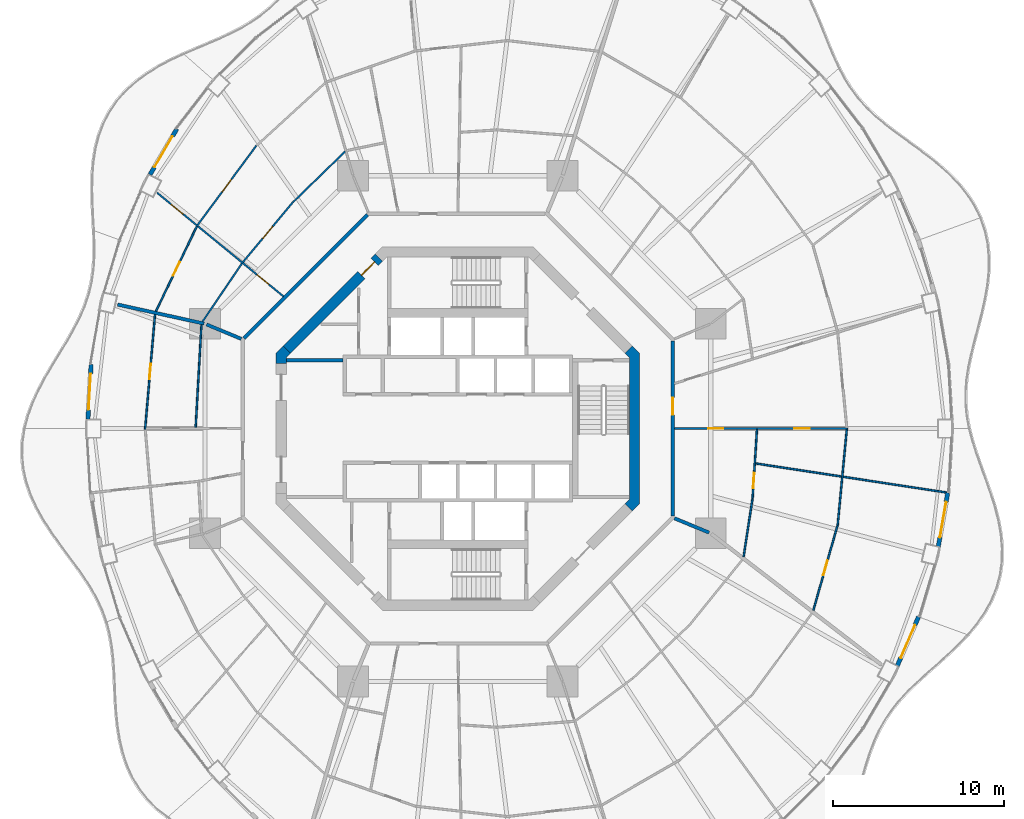
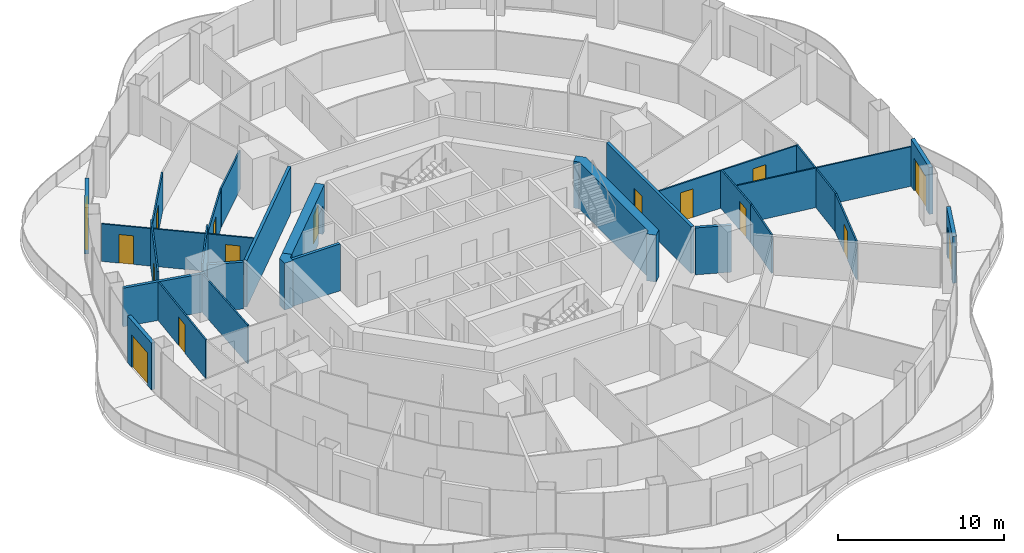
# One storey, part 13 of 19: 27 walls, 16 doors, 16 openings.
"""IFC4 building model written with IfcOpenShell, lengths in metres."""

from ifc_helpers import new_model, si_unit, direction, frame, frame_2d, origin, place, context, subcontext, project, spatial, polyline, rectangle, outline, extrude, material, layer, layer_set, type_object, element, fill, save


model = new_model("IFC4")

# Units and contexts
model_context = context("Model", 3, precision=1e-05, world=origin(), true_north=direction((0.0, 1.0)))
body_context = subcontext(model_context, "Body", "Model", "MODEL_VIEW")
ifc_project = project(units=[si_unit("LENGTHUNIT", "METRE"), si_unit("AREAUNIT", "SQUARE_METRE"), si_unit("VOLUMEUNIT", "CUBIC_METRE"), si_unit("PLANEANGLEUNIT", "RADIAN"), si_unit("MASSUNIT", "GRAM", prefix="KILO")], contexts=[model_context])

# Site, building, storey
site_placement = place(None, origin())
site = spatial("IfcSite", under=ifc_project, at=site_placement, CompositionType="ELEMENT")
building_placement = place(site_placement, origin())
building = spatial("IfcBuilding", under=site, at=building_placement, Name="Nagisa Residences", CompositionType="ELEMENT")
storey_placement = place(building_placement, frame((0.0, 0.0, 173.300048828125)))
storey = spatial("IfcBuildingStorey", under=building, at=storey_placement, Name="L43", CompositionType="ELEMENT", Elevation=173.300048828125)

# Walls
ifc_material_1 = material(Name="Gypsum board on steel studs", Category="steel")
ifc_layer_1 = layer(ifc_material_1, 0.199951171875)
ifc_layer_set_1 = layer_set([ifc_layer_1], Name="Apartment compartment wall EI60 200")
wall_type_1 = type_object("IfcWallType", Name="Apartment compartment wall EI60 200", PredefinedType="PARTITIONING", material=ifc_layer_set_1)
wall_1_placement = place(storey_placement, frame((-12.6572265625, 5.24267578125, 0.0), z_axis=(0.0, 0.0, 1.0), x_axis=(-0.923859888513, 0.38273085373, 0.0)))
element("IfcWall", 1, at=wall_1_placement, inside=storey, type_object=wall_type_1, Name="wall:L43:u02", PredefinedType="PARTITIONING", context=body_context, shape_type="SweptSolid", body=[
    extrude(rectangle(XDim=2.199462890625, YDim=0.199951171875, at=frame_2d((1.099609375, 0.0))), origin(), (0.0, 0.0, 1.0), 3.43994140625),
])
wall_2_placement = place(storey_placement, frame((-14.830810546875, 6.133544921875, 0.0), z_axis=(0.0, 0.0, 1.0), x_axis=(-0.976568396888, 0.215207263354, 0.0)))
element("IfcWall", 2, at=wall_2_placement, inside=storey, type_object=wall_type_1, Name="wall:L43:u03", PredefinedType="PARTITIONING", context=body_context, shape_type="SweptSolid", body=[
    extrude(rectangle(XDim=5.176513671875, YDim=0.199951171875, at=frame_2d((2.58837890625, 0.0))), origin(), (0.0, 0.0, 1.0), 2.8369140625),
])
wall_3_placement = place(storey_placement, frame((12.6572265625, -5.24267578125, 0.0), z_axis=(0.0, 0.0, 1.0), x_axis=(0.92383017907, -0.382802560388, 0.0)))
element("IfcWall", 3, at=wall_3_placement, inside=storey, type_object=wall_type_1, Name="wall:L43:u06", PredefinedType="PARTITIONING", context=body_context, shape_type="SweptSolid", body=[
    extrude(rectangle(XDim=2.2001953125, YDim=0.199951171875, at=frame_2d((1.10009765625, 0.0))), origin(), (0.0, 0.0, 1.0), 3.43994140625),
])

# Wall, opening, door
ifc_material_2 = material(Name="Gypsum board on steel studs", Category="steel")
ifc_layer_2 = layer(ifc_material_2, 0.199951171875)
ifc_layer_set_2 = layer_set([ifc_layer_2], Name="Apartment entry wall EI60 200")
wall_type_2 = type_object("IfcWallType", Name="Apartment entry wall EI60 200", PredefinedType="PARTITIONING", material=ifc_layer_set_2)
wall_4_placement = place(storey_placement, frame((12.564697265625, -5.1044921875, 0.0), z_axis=(0.0, 0.0, 1.0), x_axis=(0.0, 1.0, 0.0)))
wall_4 = element("IfcWall", 4, at=wall_4_placement, inside=storey, type_object=wall_type_2, Name="wall:L43:u08", PredefinedType="PARTITIONING", context=body_context, shape_type="SweptSolid", body=[
    extrude(rectangle(XDim=10.208984375, YDim=0.199951171875, at=frame_2d((5.1044921875, 0.0))), origin(), (0.0, 0.0, 1.0), 3.43994140625),
])
opening_1_placement = place(wall_4_placement, frame((5.905517578125, 0.0, 0.0)))
opening_1 = element("IfcOpeningElement", 5, at=opening_1_placement, cuts=wall_4, Name="Opening L43-U01", PredefinedType="OPENING", context=body_context, shape_type="SweptSolid", body=[
    extrude(rectangle(XDim=1.0, YDim=2.10009765625, at=frame_2d((0.5, 1.050048828125))), frame((0.0, 0.10986328125, 0.0), z_axis=(0.0, -1.0, 0.0), x_axis=(1.0, 0.0, 0.0)), (0.0, 0.0, 1.0), 0.219970703125),
])
ifc_material_3 = material(Name="Timber fire door set", Category="wood")
door_type_1 = type_object("IfcDoorType", Name="Apartment entry door FD30S 1000x2100", OperationType="NOTDEFINED", PredefinedType="DOOR", material=ifc_material_3)
door_1_placement = place(opening_1_placement, frame((1.0, 0.0, 0.0), x_axis=(-1.0, 0.0, 0.0)))
door_1 = element("IfcDoor", 6, at=door_1_placement, inside=storey, type_object=door_type_1, Name="Entry door, Apartment 43A", OperationType="SINGLE_SWING_RIGHT", OverallHeight=2.10009765625, OverallWidth=1.0, PredefinedType="DOOR", context=body_context, shape_type="SweptSolid", body=[
    extrude(rectangle(XDim=1.0, YDim=2.10009765625, at=frame_2d((0.5, 1.050048828125))), frame((0.0, 0.02490234375, 0.0), z_axis=(0.0, -1.0, 0.0), x_axis=(1.0, 0.0, 0.0)), (0.0, 0.0, 1.0), 0.050048828125),
])
fill(opening_1, door_1)

# Wall
wall_5_placement = place(storey_placement, frame((-5.275146484375, 12.494140625, 0.0), z_axis=(0.0, 0.0, 1.0), x_axis=(-0.707106781187, -0.707106781187, 0.0)))
element("IfcWall", 7, at=wall_5_placement, inside=storey, type_object=wall_type_2, Name="wall:L43:u11", PredefinedType="PARTITIONING", context=body_context, shape_type="SweptSolid", body=[
    extrude(rectangle(XDim=10.209228515625, YDim=0.199951171875, at=frame_2d((5.1044921875, 0.0))), origin(), (0.0, 0.0, 1.0), 3.43994140625),
])

# Wall, openings, doors
ifc_material_4 = material(Name="Gypsum board on steel studs", Category="steel")
ifc_layer_3 = layer(ifc_material_4, 0.10009765625)
ifc_layer_set_3 = layer_set([ifc_layer_3], Name="Apartment partition 100")
wall_type_3 = type_object("IfcWallType", Name="Apartment partition 100", PredefinedType="PARTITIONING", material=ifc_layer_set_3)
wall_6_placement = place(storey_placement, frame((12.664794921875, 0.0, 0.0), z_axis=(0.0, 0.0, 1.0), x_axis=(1.0, 0.0, 0.0)))
wall_6 = element("IfcWall", 8, at=wall_6_placement, inside=storey, type_object=wall_type_3, Name="wall:L43:u16", PredefinedType="PARTITIONING", context=body_context, shape_type="SweptSolid", body=[
    extrude(rectangle(XDim=10.124267578125, YDim=0.10009765625, at=frame_2d((5.06201171875, 0.0))), origin(), (0.0, 0.0, 1.0), 2.755859375),
])
opening_2_placement = place(wall_6_placement, frame((1.96142578125, 0.0, 0.0)))
opening_2 = element("IfcOpeningElement", 9, at=opening_2_placement, cuts=wall_6, Name="Opening L43-U02", PredefinedType="OPENING", context=body_context, shape_type="SweptSolid", body=[
    extrude(rectangle(XDim=0.89990234375, YDim=2.10009765625, at=frame_2d((0.449951171875, 1.050048828125))), frame((0.0, 0.06005859375, 0.0), z_axis=(0.0, -1.0, 0.0), x_axis=(1.0, 0.0, 0.0)), (0.0, 0.0, 1.0), 0.1201171875),
])
opening_3_placement = place(wall_6_placement, frame((6.998779296875, 0.0, 0.0)))
opening_3 = element("IfcOpeningElement", 10, at=opening_3_placement, cuts=wall_6, Name="Opening L43-U05", PredefinedType="OPENING", context=body_context, shape_type="SweptSolid", body=[
    extrude(rectangle(XDim=0.89990234375, YDim=2.10009765625, at=frame_2d((0.449951171875, 1.050048828125))), frame((0.0, 0.06005859375, 0.0), z_axis=(0.0, -1.0, 0.0), x_axis=(1.0, 0.0, 0.0)), (0.0, 0.0, 1.0), 0.1201171875),
])
ifc_material_5 = material(Name="Timber door set", Category="wood")
door_type_2 = type_object("IfcDoorType", Name="Apartment door 900x2100", OperationType="NOTDEFINED", PredefinedType="DOOR", material=ifc_material_5)
door_2_placement = place(opening_2_placement, frame((0.89990234375, 0.0, 0.0), x_axis=(-1.0, 0.0, 0.0)))
door_2 = element("IfcDoor", 11, at=door_2_placement, inside=storey, type_object=door_type_2, Name="Door to store, Apartment 43A", OperationType="SINGLE_SWING_LEFT", OverallHeight=2.10009765625, OverallWidth=0.89990234375, PredefinedType="DOOR", context=body_context, shape_type="SweptSolid", body=[
    extrude(rectangle(XDim=0.89990234375, YDim=2.10009765625, at=frame_2d((0.449951171875, 1.050048828125))), frame((0.0, 0.02490234375, 0.0), z_axis=(0.0, -1.0, 0.0), x_axis=(1.0, 0.0, 0.0)), (0.0, 0.0, 1.0), 0.050048828125),
])
fill(opening_2, door_2)
door_3_placement = place(opening_3_placement, frame((0.89990234375, 0.0, 0.0), x_axis=(-1.0, 0.0, 0.0)))
door_3 = element("IfcDoor", 12, at=door_3_placement, inside=storey, type_object=door_type_2, Name="Door to family bathroom, Apartment 43A", OperationType="SINGLE_SWING_RIGHT", OverallHeight=2.10009765625, OverallWidth=0.89990234375, PredefinedType="DOOR", context=body_context, shape_type="SweptSolid", body=[
    extrude(rectangle(XDim=0.89990234375, YDim=2.10009765625, at=frame_2d((0.449951171875, 1.050048828125))), frame((0.0, 0.02490234375, 0.0), z_axis=(0.0, -1.0, 0.0), x_axis=(1.0, 0.0, 0.0)), (0.0, 0.0, 1.0), 0.050048828125),
])
fill(opening_3, door_3)

# Wall, opening, door
wall_7_placement = place(storey_placement, frame((17.484619140625, -0.0498046875, 0.0), z_axis=(0.0, 0.0, 1.0), x_axis=(-0.063673473968, -0.997970785501, 0.0)))
wall_7 = element("IfcWall", 13, at=wall_7_placement, inside=storey, type_object=wall_type_3, Name="wall:L43:u17", PredefinedType="PARTITIONING", context=body_context, shape_type="SweptSolid", body=[
    extrude(rectangle(XDim=4.072021484375, YDim=0.10009765625, at=frame_2d((2.0361328125, 0.0))), origin(), (0.0, 0.0, 1.0), 2.8369140625),
])
opening_4_placement = place(wall_7_placement, frame((2.553955078125, 0.0, 0.0)))
opening_4 = element("IfcOpeningElement", 14, at=opening_4_placement, cuts=wall_7, Name="Opening L43-U04", PredefinedType="OPENING", context=body_context, shape_type="SweptSolid", body=[
    extrude(rectangle(XDim=0.89990234375, YDim=2.10009765625, at=frame_2d((0.449951171875, 1.050048828125))), frame((0.0, 0.06005859375, 0.0), z_axis=(0.0, -1.0, 0.0), x_axis=(1.0, 0.0, 0.0)), (0.0, 0.0, 1.0), 0.1201171875),
])
door_4_placement = place(opening_4_placement, origin())
door_4 = element("IfcDoor", 15, at=door_4_placement, inside=storey, type_object=door_type_2, Name="Door to kitchen, Apartment 43A", OperationType="SINGLE_SWING_RIGHT", OverallHeight=2.10009765625, OverallWidth=0.89990234375, PredefinedType="DOOR", context=body_context, shape_type="SweptSolid", body=[
    extrude(rectangle(XDim=0.89990234375, YDim=2.10009765625, at=frame_2d((0.449951171875, 1.050048828125))), frame((0.0, 0.02490234375, 0.0), z_axis=(0.0, -1.0, 0.0), x_axis=(1.0, 0.0, 0.0)), (0.0, 0.0, 1.0), 0.050048828125),
])
fill(opening_4, door_4)

# Walls
wall_8_placement = place(storey_placement, frame((22.734375, -0.0498046875, 0.0), z_axis=(0.0, 0.0, 1.0), x_axis=(-0.0949274088, -0.995484197292, 0.0)))
element("IfcWall", 16, at=wall_8_placement, inside=storey, type_object=wall_type_3, Name="wall:L43:u19", PredefinedType="PARTITIONING", context=body_context, shape_type="SweptSolid", body=[
    extrude(rectangle(XDim=5.647705078125, YDim=0.10009765625, at=frame_2d((2.82373046875, 0.0))), origin(), (0.0, 0.0, 1.0), 2.8369140625),
])
wall_9_placement = place(storey_placement, frame((-6.580322265625, 16.200927734375, 0.0), z_axis=(0.0, 0.0, 1.0), x_axis=(-0.716946269374, -0.697128429223, 0.0)))
element("IfcWall", 17, at=wall_9_placement, inside=storey, type_object=wall_type_3, Name="wall:L43:u46", PredefinedType="PARTITIONING", context=body_context, shape_type="SweptSolid", body=[
    extrude(rectangle(XDim=4.250244140625, YDim=0.10009765625, at=frame_2d((2.125, 0.0))), origin(), (0.0, 0.0, 1.0), 2.8369140625),
])

# Wall, opening, door
wall_10_placement = place(storey_placement, frame((-9.63134765625, 13.24169921875, 0.0), z_axis=(0.0, 0.0, 1.0), x_axis=(-0.640315711982, -0.768111833647, 0.0)))
wall_10 = element("IfcWall", 18, at=wall_10_placement, inside=storey, type_object=wall_type_3, Name="wall:L43:u48", PredefinedType="PARTITIONING", context=body_context, shape_type="SweptSolid", body=[
    extrude(rectangle(XDim=4.571533203125, YDim=0.10009765625, at=frame_2d((2.28564453125, 0.0))), origin(), (0.0, 0.0, 1.0), 2.8369140625),
])
opening_5_placement = place(wall_10_placement, frame((1.86083984375, 0.0, 0.0)))
opening_5 = element("IfcOpeningElement", 19, at=opening_5_placement, cuts=wall_10, Name="Opening L43-U26", PredefinedType="OPENING", context=body_context, shape_type="SweptSolid", body=[
    extrude(rectangle(XDim=0.89990234375, YDim=2.10009765625, at=frame_2d((0.449951171875, 1.050048828125))), frame((0.0, 0.06005859375, 0.0), z_axis=(0.0, -1.0, 0.0), x_axis=(1.0, 0.0, 0.0)), (0.0, 0.0, 1.0), 0.1201171875),
])
door_5_placement = place(opening_5_placement, origin())
door_5 = element("IfcDoor", 20, at=door_5_placement, inside=storey, type_object=door_type_2, Name="Door to store, Apartment 43B", OperationType="SINGLE_SWING_RIGHT", OverallHeight=2.10009765625, OverallWidth=0.89990234375, PredefinedType="DOOR", context=body_context, shape_type="SweptSolid", body=[
    extrude(rectangle(XDim=0.89990234375, YDim=2.10009765625, at=frame_2d((0.449951171875, 1.050048828125))), frame((0.0, 0.02490234375, 0.0), z_axis=(0.0, -1.0, 0.0), x_axis=(1.0, 0.0, 0.0)), (0.0, 0.0, 1.0), 0.050048828125),
])
fill(opening_5, door_5)

wall_11_placement = place(storey_placement, frame((-11.77294921875, 16.54150390625, 0.0), z_axis=(0.0, 0.0, 1.0), x_axis=(-0.594694305999, -0.803951915485, 0.0)))
wall_11 = element("IfcWall", 21, at=wall_11_placement, inside=storey, type_object=wall_type_3, Name="wall:L43:u49", PredefinedType="PARTITIONING", context=body_context, shape_type="SweptSolid", body=[
    extrude(rectangle(XDim=5.771728515625, YDim=0.10009765625, at=frame_2d((2.8857421875, 0.0))), origin(), (0.0, 0.0, 1.0), 2.8369140625),
])
opening_6_placement = place(wall_11_placement, frame((2.460693359375, 0.0, 0.0)))
opening_6 = element("IfcOpeningElement", 22, at=opening_6_placement, cuts=wall_11, Name="Opening L43-U24", PredefinedType="OPENING", context=body_context, shape_type="SweptSolid", body=[
    extrude(rectangle(XDim=0.89990234375, YDim=2.10009765625, at=frame_2d((0.449951171875, 1.050048828125))), frame((0.0, 0.06005859375, 0.0), z_axis=(0.0, -1.0, 0.0), x_axis=(1.0, 0.0, 0.0)), (0.0, 0.0, 1.0), 0.1201171875),
])
door_6_placement = place(opening_6_placement, origin())
door_6 = element("IfcDoor", 23, at=door_6_placement, inside=storey, type_object=door_type_2, Name="Door to kitchen, Apartment 43B", OperationType="SINGLE_SWING_RIGHT", OverallHeight=2.10009765625, OverallWidth=0.89990234375, PredefinedType="DOOR", context=body_context, shape_type="SweptSolid", body=[
    extrude(rectangle(XDim=0.89990234375, YDim=2.10009765625, at=frame_2d((0.449951171875, 1.050048828125))), frame((0.0, 0.02490234375, 0.0), z_axis=(0.0, -1.0, 0.0), x_axis=(1.0, 0.0, 0.0)), (0.0, 0.0, 1.0), 0.050048828125),
])
fill(opening_6, door_6)

# Wall, openings, doors
wall_12_placement = place(storey_placement, frame((-10.188720703125, 7.721435546875, 0.0), z_axis=(0.0, 0.0, 1.0), x_axis=(-0.773134429339, 0.634242188892, 0.0)))
wall_12 = element("IfcWall", 24, at=wall_12_placement, inside=storey, type_object=wall_type_3, Name="wall:L43:u50", PredefinedType="PARTITIONING", context=body_context, shape_type="SweptSolid", body=[
    extrude(rectangle(XDim=9.5517578125, YDim=0.10009765625, at=frame_2d((4.77587890625, 0.0))), origin(), (0.0, 0.0, 1.0), 2.755859375),
])
opening_7_placement = place(wall_12_placement, frame((7.589599609375, 0.0, 0.0)))
opening_7 = element("IfcOpeningElement", 25, at=opening_7_placement, cuts=wall_12, Name="Opening L43-U23", PredefinedType="OPENING", context=body_context, shape_type="SweptSolid", body=[
    extrude(rectangle(XDim=0.89990234375, YDim=2.10009765625, at=frame_2d((0.449951171875, 1.050048828125))), frame((0.0, 0.06005859375, 0.0), z_axis=(0.0, -1.0, 0.0), x_axis=(1.0, 0.0, 0.0)), (0.0, 0.0, 1.0), 0.1201171875),
])
opening_8_placement = place(wall_12_placement, frame((1.103515625, 0.0, 0.0)))
opening_8 = element("IfcOpeningElement", 26, at=opening_8_placement, cuts=wall_12, Name="Opening L43-U27", PredefinedType="OPENING", context=body_context, shape_type="SweptSolid", body=[
    extrude(rectangle(XDim=0.89990234375, YDim=2.10009765625, at=frame_2d((0.449951171875, 1.050048828125))), frame((0.0, 0.06005859375, 0.0), z_axis=(0.0, -1.0, 0.0), x_axis=(1.0, 0.0, 0.0)), (0.0, 0.0, 1.0), 0.1201171875),
])
door_7_placement = place(opening_7_placement, origin())
door_7 = element("IfcDoor", 27, at=door_7_placement, inside=storey, type_object=door_type_2, Name="Door to bedroom, Apartment 43B", OperationType="SINGLE_SWING_LEFT", OverallHeight=2.10009765625, OverallWidth=0.89990234375, PredefinedType="DOOR", context=body_context, shape_type="SweptSolid", body=[
    extrude(rectangle(XDim=0.89990234375, YDim=2.10009765625, at=frame_2d((0.449951171875, 1.050048828125))), frame((0.0, 0.02490234375, 0.0), z_axis=(0.0, -1.0, 0.0), x_axis=(1.0, 0.0, 0.0)), (0.0, 0.0, 1.0), 0.050048828125),
])
fill(opening_7, door_7)
door_8_placement = place(opening_8_placement, origin())
door_8 = element("IfcDoor", 28, at=door_8_placement, inside=storey, type_object=door_type_2, Name="Door to laundry, Apartment 43B", OperationType="SINGLE_SWING_LEFT", OverallHeight=2.10009765625, OverallWidth=0.89990234375, PredefinedType="DOOR", context=body_context, shape_type="SweptSolid", body=[
    extrude(rectangle(XDim=0.89990234375, YDim=2.10009765625, at=frame_2d((0.449951171875, 1.050048828125))), frame((0.0, 0.02490234375, 0.0), z_axis=(0.0, -1.0, 0.0), x_axis=(1.0, 0.0, 0.0)), (0.0, 0.0, 1.0), 0.050048828125),
])
fill(opening_8, door_8)

# Wall
wall_13_placement = place(storey_placement, frame((-12.61865234375, 9.650390625, 0.0), z_axis=(0.0, 0.0, 1.0), x_axis=(-0.561046521684, -0.82778427172, 0.0)))
element("IfcWall", 29, at=wall_13_placement, inside=storey, type_object=wall_type_3, Name="wall:L43:u51", PredefinedType="PARTITIONING", context=body_context, shape_type="SweptSolid", body=[
    extrude(rectangle(XDim=4.108642578125, YDim=0.10009765625, at=frame_2d((2.05419921875, 0.0))), origin(), (0.0, 0.0, 1.0), 3.43994140625),
])

# Wall, opening, door
wall_14_placement = place(storey_placement, frame((-15.2568359375, 11.816162109375, 0.0), z_axis=(0.0, 0.0, 1.0), x_axis=(-0.434027506504, -0.900899619046, 0.0)))
wall_14 = element("IfcWall", 30, at=wall_14_placement, inside=storey, type_object=wall_type_3, Name="wall:L43:u52", PredefinedType="PARTITIONING", context=body_context, shape_type="SweptSolid", body=[
    extrude(rectangle(XDim=5.508056640625, YDim=0.10009765625, at=frame_2d((2.75390625, 0.0))), origin(), (0.0, 0.0, 1.0), 3.43994140625),
])
opening_9_placement = place(wall_14_placement, frame((2.303955078125, 0.0, 0.0)))
opening_9 = element("IfcOpeningElement", 31, at=opening_9_placement, cuts=wall_14, Name="Opening L43-U25", PredefinedType="OPENING", context=body_context, shape_type="SweptSolid", body=[
    extrude(rectangle(XDim=0.89990234375, YDim=2.10009765625, at=frame_2d((0.449951171875, 1.050048828125))), frame((0.0, 0.06005859375, 0.0), z_axis=(0.0, -1.0, 0.0), x_axis=(1.0, 0.0, 0.0)), (0.0, 0.0, 1.0), 0.1201171875),
])
door_9_placement = place(opening_9_placement, origin())
door_9 = element("IfcDoor", 32, at=door_9_placement, inside=storey, type_object=door_type_2, Name="Door to en-suite bathroom, Apartment 43B", OperationType="SINGLE_SWING_LEFT", OverallHeight=2.10009765625, OverallWidth=0.89990234375, PredefinedType="DOOR", context=body_context, shape_type="SweptSolid", body=[
    extrude(rectangle(XDim=0.89990234375, YDim=2.10009765625, at=frame_2d((0.449951171875, 1.050048828125))), frame((0.0, 0.02490234375, 0.0), z_axis=(0.0, -1.0, 0.0), x_axis=(1.0, 0.0, 0.0)), (0.0, 0.0, 1.0), 0.050048828125),
])
fill(opening_9, door_9)

# Wall
wall_15_placement = place(storey_placement, frame((-14.985595703125, 6.066650390625, 0.0), z_axis=(0.0, 0.0, 1.0), x_axis=(-0.056311398802, -0.998413254302, 0.0)))
element("IfcWall", 33, at=wall_15_placement, inside=storey, type_object=wall_type_3, Name="wall:L43:u53", PredefinedType="PARTITIONING", context=body_context, shape_type="SweptSolid", body=[
    extrude(rectangle(XDim=6.0263671875, YDim=0.10009765625, at=frame_2d((3.01318359375, 0.0))), origin(), (0.0, 0.0, 1.0), 2.8369140625),
])

# Wall, opening, door
wall_16_placement = place(storey_placement, frame((-17.69970703125, 6.664306640625, 0.0), z_axis=(0.0, 0.0, 1.0), x_axis=(-0.086004282666, -0.996294767307, 0.0)))
wall_16 = element("IfcWall", 34, at=wall_16_placement, inside=storey, type_object=wall_type_3, Name="wall:L43:u54", PredefinedType="PARTITIONING", context=body_context, shape_type="SweptSolid", body=[
    extrude(rectangle(XDim=6.739013671875, YDim=0.10009765625, at=frame_2d((3.36962890625, 0.0))), origin(), (0.0, 0.0, 1.0), 2.8369140625),
])
opening_10_placement = place(wall_16_placement, frame((2.89453125, 0.0, 0.0)))
opening_10 = element("IfcOpeningElement", 35, at=opening_10_placement, cuts=wall_16, Name="Opening L43-U33", PredefinedType="OPENING", context=body_context, shape_type="SweptSolid", body=[
    extrude(rectangle(XDim=0.89990234375, YDim=2.10009765625, at=frame_2d((0.449951171875, 1.050048828125))), frame((0.0, 0.06005859375, 0.0), z_axis=(0.0, -1.0, 0.0), x_axis=(1.0, 0.0, 0.0)), (0.0, 0.0, 1.0), 0.1201171875),
])
door_10_placement = place(opening_10_placement, frame((0.89990234375, 0.0, 0.0), x_axis=(-1.0, 0.0, 0.0)))
door_10 = element("IfcDoor", 36, at=door_10_placement, inside=storey, type_object=door_type_2, Name="Door to bedroom, Apartment 43C", OperationType="SINGLE_SWING_RIGHT", OverallHeight=2.10009765625, OverallWidth=0.89990234375, PredefinedType="DOOR", context=body_context, shape_type="SweptSolid", body=[
    extrude(rectangle(XDim=0.89990234375, YDim=2.10009765625, at=frame_2d((0.449951171875, 1.050048828125))), frame((0.0, 0.02490234375, 0.0), z_axis=(0.0, -1.0, 0.0), x_axis=(1.0, 0.0, 0.0)), (0.0, 0.0, 1.0), 0.050048828125),
])
fill(opening_10, door_10)

# Wall
wall_17_placement = place(storey_placement, frame((16.704345703125, -7.4931640625, 0.0), z_axis=(0.0, 0.0, 1.0), x_axis=(0.1510806336, 0.988521442434, 0.0)))
element("IfcWall", 37, at=wall_17_placement, inside=storey, type_object=wall_type_3, Name="wall:L43:u87", PredefinedType="PARTITIONING", context=body_context, shape_type="SweptSolid", body=[
    extrude(rectangle(XDim=3.41943359375, YDim=0.10009765625, at=frame_2d((1.709716796875, 0.0))), origin(), (0.0, 0.0, 1.0), 2.8369140625),
])

# Wall, opening, door
wall_18_placement = place(storey_placement, frame((20.77880859375, -10.625244140625, 0.0), z_axis=(0.0, 0.0, 1.0), x_axis=(0.273819702124, 0.961781040949, 0.0)))
wall_18 = element("IfcWall", 38, at=wall_18_placement, inside=storey, type_object=wall_type_3, Name="wall:L43:u88", PredefinedType="PARTITIONING", context=body_context, shape_type="SweptSolid", body=[
    extrude(rectangle(XDim=5.151611328125, YDim=0.10009765625, at=frame_2d((2.57568359375, 0.0))), origin(), (0.0, 0.0, 1.0), 2.8369140625),
])
opening_11_placement = place(wall_18_placement, frame((2.125732421875, 0.0, 0.0)))
opening_11 = element("IfcOpeningElement", 39, at=opening_11_placement, cuts=wall_18, Name="Opening L43-U08", PredefinedType="OPENING", context=body_context, shape_type="SweptSolid", body=[
    extrude(rectangle(XDim=0.89990234375, YDim=2.10009765625, at=frame_2d((0.449951171875, 1.050048828125))), frame((0.0, 0.06005859375, 0.0), z_axis=(0.0, -1.0, 0.0), x_axis=(1.0, 0.0, 0.0)), (0.0, 0.0, 1.0), 0.1201171875),
])
door_11_placement = place(opening_11_placement, frame((0.89990234375, 0.0, 0.0), x_axis=(-1.0, 0.0, 0.0)))
door_11 = element("IfcDoor", 40, at=door_11_placement, inside=storey, type_object=door_type_2, Name="Door to master bedroom, Apartment 43A", OperationType="SINGLE_SWING_LEFT", OverallHeight=2.10009765625, OverallWidth=0.89990234375, PredefinedType="DOOR", context=body_context, shape_type="SweptSolid", body=[
    extrude(rectangle(XDim=0.89990234375, YDim=2.10009765625, at=frame_2d((0.449951171875, 1.050048828125))), frame((0.0, 0.02490234375, 0.0), z_axis=(0.0, -1.0, 0.0), x_axis=(1.0, 0.0, 0.0)), (0.0, 0.0, 1.0), 0.050048828125),
])
fill(opening_11, door_11)

# Wall
wall_19_placement = place(storey_placement, frame((17.407470703125, -2.039306640625, 0.0), z_axis=(0.0, 0.0, 1.0), x_axis=(0.98858728603, -0.150649188184, 0.0)))
element("IfcWall", 41, at=wall_19_placement, inside=storey, type_object=wall_type_3, Name="wall:L43:u89", PredefinedType="PARTITIONING", context=body_context, shape_type="SweptSolid", body=[
    extrude(rectangle(XDim=11.44140625, YDim=0.10009765625, at=frame_2d((5.720703125, 0.0))), origin(), (0.0, 0.0, 1.0), 2.905029296875),
])

# Wall, opening, door
ifc_material_6 = material(Name="Precast concrete C40/50", Category="concrete")
ifc_layer_4 = layer(ifc_material_6, 0.25)
ifc_layer_set_4 = layer_set([ifc_layer_4], Name="BALCONY DOOR WALL 250")
wall_type_4 = type_object("IfcWallType", Name="BALCONY DOOR WALL 250", PredefinedType="SOLIDWALL", material=ifc_layer_set_4)
wall_20_placement = place(storey_placement, frame((-17.989013671875, 14.848388671875, 0.0), z_axis=(0.0, 0.0, 1.0), x_axis=(0.506309086483, 0.862352079458, 0.0)))
wall_20 = element("IfcWall", 42, at=wall_20_placement, inside=storey, type_object=wall_type_4, Name="wall:L43:bay19", PredefinedType="SOLIDWALL", context=body_context, shape_type="SweptSolid", body=[
    extrude(rectangle(XDim=3.091796875, YDim=0.25, at=frame_2d((1.5458984375, 0.0))), origin(), (0.0, 0.0, 1.0), 3.43994140625),
])
opening_12_placement = place(wall_20_placement, frame((0.495849609375, 0.0, 0.0)))
opening_12 = element("IfcOpeningElement", 43, at=opening_12_placement, cuts=wall_20, Name="Opening BD-L43-07", PredefinedType="OPENING", context=body_context, shape_type="SweptSolid", body=[
    extrude(rectangle(XDim=2.10009765625, YDim=2.39990234375, at=frame_2d((1.050048828125, 1.199951171875))), frame((0.0, 0.135009765625, 0.0), z_axis=(0.0, -1.0, 0.0), x_axis=(1.0, 0.0, 0.0)), (0.0, 0.0, 1.0), 0.27001953125),
])
ifc_material_7 = material(Name="Aluminium and clear glass", Category="aluminium")
door_type_3 = type_object("IfcDoorType", Name="BALCONY SLIDING DOOR 2100x2400", OperationType="SLIDING_TO_LEFT", PredefinedType="DOOR", material=ifc_material_7)
door_12_placement = place(opening_12_placement, origin())
door_12 = element("IfcDoor", 44, at=door_12_placement, inside=storey, type_object=door_type_3, Name="door:L43:bay19", OperationType="SLIDING_TO_LEFT", OverallHeight=2.39990234375, OverallWidth=2.10009765625, PredefinedType="DOOR", context=body_context, shape_type="SweptSolid", body=[
    extrude(rectangle(XDim=2.10009765625, YDim=2.39990234375, at=frame_2d((1.050048828125, 1.199951171875))), frame((0.0, 0.02490234375, 0.0), z_axis=(0.0, -1.0, 0.0), x_axis=(1.0, 0.0, 0.0)), (0.0, 0.0, 1.0), 0.050048828125),
])
fill(opening_12, door_12)

wall_21_placement = place(storey_placement, frame((-21.61865234375, 0.5419921875, 0.0), z_axis=(0.0, 0.0, 1.0), x_axis=(0.057532692854, 0.998343622834, 0.0)))
wall_21 = element("IfcWall", 45, at=wall_21_placement, inside=storey, type_object=wall_type_4, Name="wall:L43:bay23", PredefinedType="SOLIDWALL", context=body_context, shape_type="SweptSolid", body=[
    extrude(rectangle(XDim=3.22509765625, YDim=0.25, at=frame_2d((1.612548828125, 0.0))), origin(), (0.0, 0.0, 1.0), 3.43994140625),
])
opening_13_placement = place(wall_21_placement, frame((0.5625, 0.0, 0.0)))
opening_13 = element("IfcOpeningElement", 46, at=opening_13_placement, cuts=wall_21, Name="Opening BD-L43-08", PredefinedType="OPENING", context=body_context, shape_type="SweptSolid", body=[
    extrude(rectangle(XDim=2.10009765625, YDim=2.39990234375, at=frame_2d((1.050048828125, 1.199951171875))), frame((0.0, 0.135009765625, 0.0), z_axis=(0.0, -1.0, 0.0), x_axis=(1.0, 0.0, 0.0)), (0.0, 0.0, 1.0), 0.27001953125),
])
door_13_placement = place(opening_13_placement, origin())
door_13 = element("IfcDoor", 47, at=door_13_placement, inside=storey, type_object=door_type_3, Name="door:L43:bay23", OperationType="SLIDING_TO_LEFT", OverallHeight=2.39990234375, OverallWidth=2.10009765625, PredefinedType="DOOR", context=body_context, shape_type="SweptSolid", body=[
    extrude(rectangle(XDim=2.10009765625, YDim=2.39990234375, at=frame_2d((1.050048828125, 1.199951171875))), frame((0.0, 0.02490234375, 0.0), z_axis=(0.0, -1.0, 0.0), x_axis=(1.0, 0.0, 0.0)), (0.0, 0.0, 1.0), 0.050048828125),
])
fill(opening_13, door_13)

wall_22_placement = place(storey_placement, frame((26.9287109375, -11.000244140625, 0.0), z_axis=(0.0, 0.0, 1.0), x_axis=(-0.397620521824, -0.917549955384, 0.0)))
wall_22 = element("IfcWall", 48, at=wall_22_placement, inside=storey, type_object=wall_type_4, Name="wall:L43:bay44", PredefinedType="SOLIDWALL", context=body_context, shape_type="SweptSolid", body=[
    extrude(rectangle(XDim=3.141845703125, YDim=0.25, at=frame_2d((1.57080078125, 0.0))), origin(), (0.0, 0.0, 1.0), 3.43994140625),
])
opening_14_placement = place(wall_22_placement, frame((0.52099609375, 0.0, 0.0)))
opening_14 = element("IfcOpeningElement", 49, at=opening_14_placement, cuts=wall_22, Name="Opening BD-L43-15", PredefinedType="OPENING", context=body_context, shape_type="SweptSolid", body=[
    extrude(rectangle(XDim=2.10009765625, YDim=2.39990234375, at=frame_2d((1.050048828125, 1.199951171875))), frame((0.0, 0.135009765625, 0.0), z_axis=(0.0, -1.0, 0.0), x_axis=(1.0, 0.0, 0.0)), (0.0, 0.0, 1.0), 0.27001953125),
])
door_14_placement = place(opening_14_placement, origin())
door_14 = element("IfcDoor", 50, at=door_14_placement, inside=storey, type_object=door_type_3, Name="door:L43:bay44", OperationType="SLIDING_TO_LEFT", OverallHeight=2.39990234375, OverallWidth=2.10009765625, PredefinedType="DOOR", context=body_context, shape_type="SweptSolid", body=[
    extrude(rectangle(XDim=2.10009765625, YDim=2.39990234375, at=frame_2d((1.050048828125, 1.199951171875))), frame((0.0, 0.02490234375, 0.0), z_axis=(0.0, -1.0, 0.0), x_axis=(1.0, 0.0, 0.0)), (0.0, 0.0, 1.0), 0.050048828125),
])
fill(opening_14, door_14)

wall_23_placement = place(storey_placement, frame((28.634765625, -3.747314453125, 0.0), z_axis=(0.0, 0.0, 1.0), x_axis=(-0.172149769468, -0.985070787747, 0.0)))
wall_23 = element("IfcWall", 51, at=wall_23_placement, inside=storey, type_object=wall_type_4, Name="wall:L43:bay46", PredefinedType="SOLIDWALL", context=body_context, shape_type="SweptSolid", body=[
    extrude(rectangle(XDim=3.210693359375, YDim=0.25, at=frame_2d((1.60546875, 0.0))), origin(), (0.0, 0.0, 1.0), 3.43994140625),
])
opening_15_placement = place(wall_23_placement, frame((0.555419921875, 0.0, 0.0)))
opening_15 = element("IfcOpeningElement", 52, at=opening_15_placement, cuts=wall_23, Name="Opening BD-L43-16", PredefinedType="OPENING", context=body_context, shape_type="SweptSolid", body=[
    extrude(rectangle(XDim=2.10009765625, YDim=2.39990234375, at=frame_2d((1.050048828125, 1.199951171875))), frame((0.0, 0.135009765625, 0.0), z_axis=(0.0, -1.0, 0.0), x_axis=(1.0, 0.0, 0.0)), (0.0, 0.0, 1.0), 0.27001953125),
])
door_15_placement = place(opening_15_placement, origin())
door_15 = element("IfcDoor", 53, at=door_15_placement, inside=storey, type_object=door_type_3, Name="door:L43:bay46", OperationType="SLIDING_TO_LEFT", OverallHeight=2.39990234375, OverallWidth=2.10009765625, PredefinedType="DOOR", context=body_context, shape_type="SweptSolid", body=[
    extrude(rectangle(XDim=2.10009765625, YDim=2.39990234375, at=frame_2d((1.050048828125, 1.199951171875))), frame((0.0, 0.02490234375, 0.0), z_axis=(0.0, -1.0, 0.0), x_axis=(1.0, 0.0, 0.0)), (0.0, 0.0, 1.0), 0.050048828125),
])
fill(opening_15, door_15)

# Wall
ifc_material_8 = material(Name="Gypsum board on steel studs", Category="steel")
ifc_layer_5 = layer(ifc_material_8, 0.199951171875)
ifc_layer_set_5 = layer_set([ifc_layer_5], Name="Core partition 200")
wall_type_5 = type_object("IfcWallType", Name="Core partition 200", PredefinedType="PARTITIONING", material=ifc_layer_set_5)
wall_24_placement = place(storey_placement, frame((-10.024658203125, 4.0, 0.0), z_axis=(0.0, 0.0, 1.0), x_axis=(1.0, 0.0, 0.0)))
element("IfcWall", 54, at=wall_24_placement, inside=storey, type_object=wall_type_5, Name="wall:L43:PNW", PredefinedType="PARTITIONING", context=body_context, shape_type="SweptSolid", body=[
    extrude(rectangle(XDim=3.32470703125, YDim=0.199951171875, at=frame_2d((1.662353515625, 0.0))), origin(), (0.0, 0.0, 1.0), 3.43994140625),
])

# Wall, opening, door
ifc_material_9 = material(Name="Concrete C60", Category="concrete")
ifc_layer_6 = layer(ifc_material_9, 0.60009765625)
ifc_layer_set_6 = layer_set([ifc_layer_6], Name="Core shear wall 600")
wall_type_6 = type_object("IfcWallType", Name="Core shear wall 600", PredefinedType="SHEAR", material=ifc_layer_set_6)
wall_25_placement = place(storey_placement, frame((-4.613037109375, 9.98828125, 0.0), z_axis=(0.0, 0.0, 1.0), x_axis=(-0.707106781187, -0.707106781187, 0.0)))
wall_25 = element("IfcWall", 55, at=wall_25_placement, inside=storey, type_object=wall_type_6, Name="wall:L43:core:flat3", PredefinedType="SHEAR", context=body_context, shape_type="SweptSolid", body=[
    extrude(rectangle(XDim=7.601806640625, YDim=0.60009765625, at=frame_2d((3.80078125, 0.0))), origin(), (0.0, 0.0, 1.0), 3.43994140625),
])
opening_16_placement = place(wall_25_placement, frame((0.350830078125, 0.0, 0.0)))
opening_16 = element("IfcOpeningElement", 56, at=opening_16_placement, cuts=wall_25, Name="Opening L43-C22", PredefinedType="OPENING", context=body_context, shape_type="SweptSolid", body=[
    extrude(rectangle(XDim=1.10009765625, YDim=2.10009765625, at=frame_2d((0.550048828125, 1.050048828125))), frame((0.0, 0.31005859375, 0.0), z_axis=(0.0, -1.0, 0.0), x_axis=(1.0, 0.0, 0.0)), (0.0, 0.0, 1.0), 0.6201171875),
])
ifc_material_10 = material(Name="Steel fire door", Category="steel")
door_type_4 = type_object("IfcDoorType", Name="Fire door EI60 1100x2100 single swing", OperationType="NOTDEFINED", PredefinedType="DOOR", material=ifc_material_10)
door_16_placement = place(opening_16_placement, origin())
door_16 = element("IfcDoor", 57, at=door_16_placement, inside=storey, type_object=door_type_4, Name="Service lobby door L43", OperationType="SINGLE_SWING_RIGHT", OverallHeight=2.10009765625, OverallWidth=1.10009765625, PredefinedType="DOOR", context=body_context, shape_type="SweptSolid", body=[
    extrude(rectangle(XDim=1.10009765625, YDim=2.10009765625, at=frame_2d((0.550048828125, 1.050048828125))), frame((0.0, 0.02490234375, 0.0), z_axis=(0.0, -1.0, 0.0), x_axis=(1.0, 0.0, 0.0)), (0.0, 0.0, 1.0), 0.050048828125),
])
fill(opening_16, door_16)

# Walls
wall_26_placement = place(storey_placement, origin())
element("IfcWall", 58, at=wall_26_placement, inside=storey, type_object=wall_type_6, Name="wall:L43:core:pier3", PredefinedType="SHEAR", context=body_context, shape_type="SweptSolid", body=[
    extrude(outline(polyline([(-10.200439453125, 4.8251953125), (-9.776123046875, 4.40087890625), (-10.024658203125, 4.15234375), (-10.024658203125, 3.80078125), (-10.62451171875, 3.80078125), (-10.62451171875, 4.40087890625), (-10.200439453125, 4.8251953125)])), origin(), (0.0, 0.0, 1.0), 3.43994140625),
])
wall_27_placement = place(storey_placement, origin())
element("IfcWall", 59, at=wall_27_placement, inside=storey, type_object=wall_type_6, Name="wall:L43:core:flat0", PredefinedType="SHEAR", context=body_context, shape_type="SweptSolid", body=[
    extrude(outline(polyline([(9.776123046875, -4.40087890625), (10.024658203125, -4.15234375), (10.024658203125, -3.801025390625), (10.024658203125, 4.15234375), (9.776123046875, 4.40087890625), (10.200439453125, 4.8251953125), (10.62451171875, 4.40087890625), (10.62451171875, -4.40087890625), (10.200439453125, -4.8251953125), (9.776123046875, -4.40087890625)])), origin(), (0.0, 0.0, 1.0), 3.43994140625),
])

save(model, "model.ifc")
